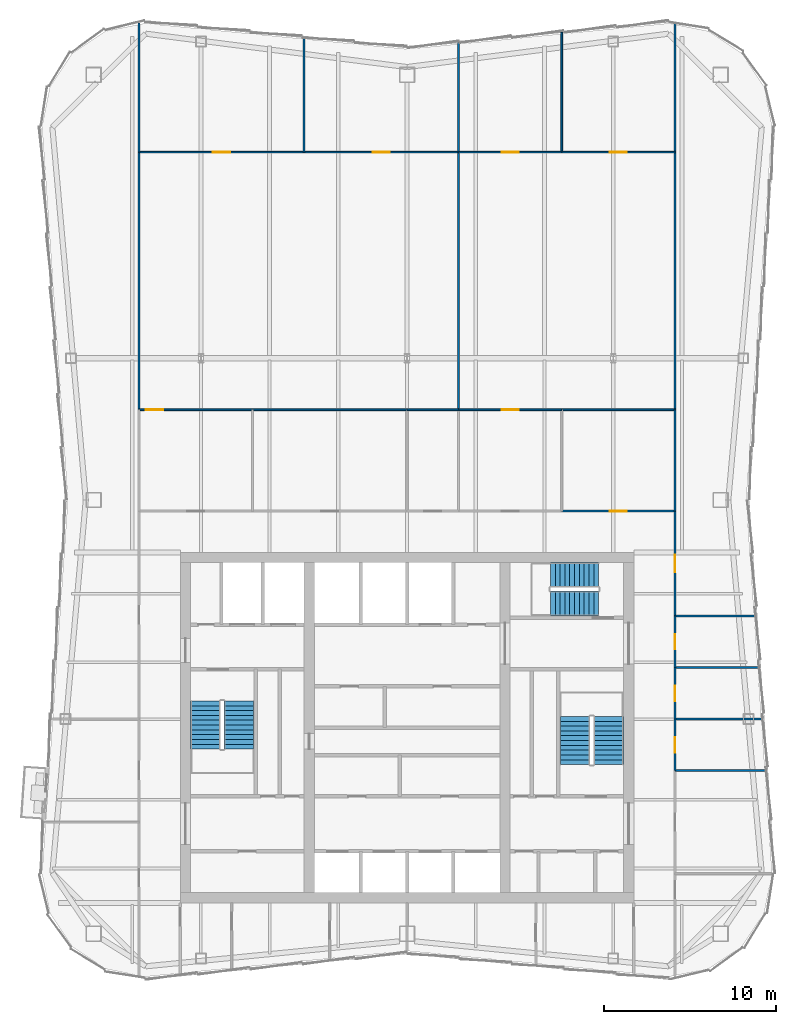
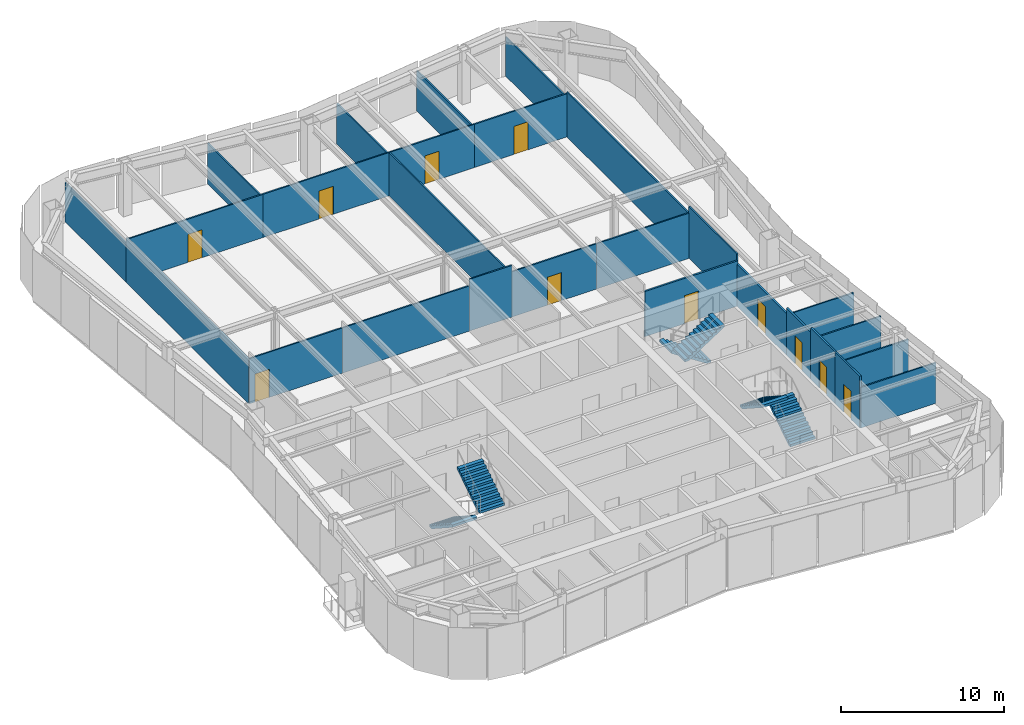
# One storey, part 8 of 10: 27 walls, 11 doors, 6 stair flights, 11 openings, 3 elements without a shape of their own.
"""IFC4 building model written with IfcOpenShell, lengths in metres."""

from ifc_helpers import new_model, si_unit, direction, frame, frame_2d, origin, place, context, subcontext, project, spatial, polyline, rectangle, outline, extrude, material, layer, layer_set, type_object, element, fill, aggregate, save


model = new_model("IFC4")

# Units and contexts
model_context = context("Model", 3, precision=1e-05, world=origin(), true_north=direction((0.0, 1.0)))
body_context = subcontext(model_context, "Body", "Model", "MODEL_VIEW")
ifc_project = project(units=[si_unit("LENGTHUNIT", "METRE"), si_unit("AREAUNIT", "SQUARE_METRE"), si_unit("VOLUMEUNIT", "CUBIC_METRE"), si_unit("PLANEANGLEUNIT", "RADIAN"), si_unit("MASSUNIT", "GRAM", prefix="KILO")], contexts=[model_context])

# Site, building, storey
site_placement = place(None, origin())
site = spatial("IfcSite", under=ifc_project, at=site_placement, CompositionType="ELEMENT")
building_placement = place(site_placement, origin())
building = spatial("IfcBuilding", under=site, at=building_placement, Name="Verdant Reach Tower", CompositionType="ELEMENT")
storey_placement = place(building_placement, frame((0.0, 0.0, 326.0)))
storey = spatial("IfcBuildingStorey", under=building, at=storey_placement, Name="L75", CompositionType="ELEMENT", Elevation=326.0)

# Walls
ifc_material_1 = material(Name="Gypsum board on steel studs", Category="steel")
ifc_layer_1 = layer(ifc_material_1, 0.10009765625)
ifc_layer_set_1 = layer_set([ifc_layer_1], Name="FL-W1 Partition 100")
wall_type_1 = type_object("IfcWallType", Name="FL-W1 Partition 100", PredefinedType="PARTITIONING", material=ifc_layer_set_1)
wall_1_placement = place(storey_placement, frame((-15.60009765625, 46.5, 0.0), z_axis=(0.0, 0.0, 1.0), x_axis=(0.0, 1.0, 0.0)))
element("IfcWall", 1, at=wall_1_placement, inside=storey, type_object=wall_type_1, Name="Partition 75.20", PredefinedType="PARTITIONING", context=body_context, shape_type="SweptSolid", body=[
    extrude(rectangle(XDim=15.0, YDim=0.10009765625, at=frame_2d((7.5, 0.0))), origin(), (0.0, 0.0, 1.0), 3.35009765625),
])
wall_2_placement = place(storey_placement, frame((-15.60009765625, 61.5, 0.0), z_axis=(0.0, 0.0, 1.0), x_axis=(0.0, 1.0, 0.0)))
element("IfcWall", 2, at=wall_2_placement, inside=storey, type_object=wall_type_1, Name="Partition 75.21", PredefinedType="PARTITIONING", context=body_context, shape_type="SweptSolid", body=[
    extrude(rectangle(XDim=7.510498046875, YDim=0.10009765625, at=frame_2d((3.75537109375, 0.0))), origin(), (0.0, 0.0, 1.0), 2.929931640625),
])
wall_3_placement = place(storey_placement, frame((20.916259765625, 25.5, 0.0), z_axis=(0.0, 0.0, 1.0), x_axis=(-1.0, 0.0, 0.0)))
element("IfcWall", 3, at=wall_3_placement, inside=storey, type_object=wall_type_1, Name="Partition 75.23", PredefinedType="PARTITIONING", context=body_context, shape_type="SweptSolid", body=[
    extrude(rectangle(XDim=5.316162109375, YDim=0.10009765625, at=frame_2d((2.658203125, 0.0))), origin(), (0.0, 0.0, 1.0), 3.0400390625),
])
wall_4_placement = place(storey_placement, frame((20.709228515625, 28.5, 0.0), z_axis=(0.0, 0.0, 1.0), x_axis=(-1.0, 0.0, 0.0)))
element("IfcWall", 4, at=wall_4_placement, inside=storey, type_object=wall_type_1, Name="Partition 75.24", PredefinedType="PARTITIONING", context=body_context, shape_type="SweptSolid", body=[
    extrude(rectangle(XDim=5.109130859375, YDim=0.10009765625, at=frame_2d((2.5546875, 0.0))), origin(), (0.0, 0.0, 1.0), 3.0400390625),
])
wall_5_placement = place(storey_placement, frame((20.50244140625, 31.5, 0.0), z_axis=(0.0, 0.0, 1.0), x_axis=(-1.0, 0.0, 0.0)))
element("IfcWall", 5, at=wall_5_placement, inside=storey, type_object=wall_type_1, Name="Partition 75.25", PredefinedType="PARTITIONING", context=body_context, shape_type="SweptSolid", body=[
    extrude(rectangle(XDim=4.90234375, YDim=0.10009765625, at=frame_2d((2.451171875, 0.0))), origin(), (0.0, 0.0, 1.0), 3.0400390625),
])
wall_6_placement = place(storey_placement, frame((20.29541015625, 34.5, 0.0), z_axis=(0.0, 0.0, 1.0), x_axis=(-1.0, 0.0, 0.0)))
element("IfcWall", 6, at=wall_6_placement, inside=storey, type_object=wall_type_1, Name="Partition 75.26", PredefinedType="PARTITIONING", context=body_context, shape_type="SweptSolid", body=[
    extrude(rectangle(XDim=4.6953125, YDim=0.10009765625, at=frame_2d((2.34765625, 0.0))), origin(), (0.0, 0.0, 1.0), 3.0400390625),
])
wall_7_placement = place(storey_placement, frame((15.60009765625, 46.5, 0.0), z_axis=(0.0, 0.0, 1.0), x_axis=(0.0, -1.0, 0.0)))
element("IfcWall", 7, at=wall_7_placement, inside=storey, type_object=wall_type_1, Name="Partition 75.27", PredefinedType="PARTITIONING", context=body_context, shape_type="SweptSolid", body=[
    extrude(rectangle(XDim=5.89990234375, YDim=0.10009765625, at=frame_2d((2.949951171875, 0.0))), origin(), (0.0, 0.0, 1.0), 3.8701171875),
])
wall_8_placement = place(storey_placement, frame((15.60009765625, 61.5, 0.0), z_axis=(0.0, 0.0, 1.0), x_axis=(0.0, -1.0, 0.0)))
element("IfcWall", 8, at=wall_8_placement, inside=storey, type_object=wall_type_1, Name="Partition 75.28", PredefinedType="PARTITIONING", context=body_context, shape_type="SweptSolid", body=[
    extrude(rectangle(XDim=15.0, YDim=0.10009765625, at=frame_2d((7.5, 0.0))), origin(), (0.0, 0.0, 1.0), 3.35009765625),
])
wall_9_placement = place(storey_placement, frame((15.60009765625, 69.010498046875, 0.0), z_axis=(0.0, 0.0, 1.0), x_axis=(0.0, -1.0, 0.0)))
element("IfcWall", 9, at=wall_9_placement, inside=storey, type_object=wall_type_1, Name="Partition 75.29", PredefinedType="PARTITIONING", context=body_context, shape_type="SweptSolid", body=[
    extrude(rectangle(XDim=7.510498046875, YDim=0.10009765625, at=frame_2d((3.75537109375, 0.0))), origin(), (0.0, 0.0, 1.0), 2.929931640625),
])

# Wall, opening, door
wall_10_placement = place(storey_placement, frame((-15.60009765625, 46.5, 0.0), z_axis=(0.0, 0.0, 1.0), x_axis=(1.0, 0.0, 0.0)))
wall_10 = element("IfcWall", 10, at=wall_10_placement, inside=storey, type_object=wall_type_1, Name="Partition 75.35", PredefinedType="PARTITIONING", context=body_context, shape_type="SweptSolid", body=[
    extrude(rectangle(XDim=6.60400390625, YDim=0.10009765625, at=frame_2d((3.302001953125, 0.0))), origin(), (0.0, 0.0, 1.0), 3.389892578125),
])
opening_1_placement = place(wall_10_placement, frame((0.402099609375, 0.0, 0.0)))
opening_1 = element("IfcOpeningElement", 11, at=opening_1_placement, cuts=wall_10, Name="Opening D3", PredefinedType="OPENING", context=body_context, shape_type="SweptSolid", body=[
    extrude(rectangle(XDim=1.0, YDim=2.10009765625, at=frame_2d((0.5, 1.050048828125))), frame((0.0, 0.06005859375, 0.0), z_axis=(0.0, -1.0, 0.0), x_axis=(1.0, 0.0, 0.0)), (0.0, 0.0, 1.0), 0.1201171875),
])
ifc_material_2 = material(Name="Painted timber door leaf", Category="wood")
door_type_1 = type_object("IfcDoorType", Name="FL-D3 Door 1000x2100", OperationType="NOTDEFINED", PredefinedType="DOOR", material=ifc_material_2)
door_1_placement = place(opening_1_placement, origin())
door_1 = element("IfcDoor", 12, at=door_1_placement, inside=storey, type_object=door_type_1, Name="Door 75-020", OperationType="SINGLE_SWING_LEFT", OverallHeight=2.10009765625, OverallWidth=1.0, PredefinedType="DOOR", context=body_context, shape_type="SweptSolid", body=[
    extrude(rectangle(XDim=1.0, YDim=2.10009765625, at=frame_2d((0.5, 1.050048828125))), frame((0.0, 0.02490234375, 0.0), z_axis=(0.0, -1.0, 0.0), x_axis=(1.0, 0.0, 0.0)), (0.0, 0.0, 1.0), 0.050048828125),
])
fill(opening_1, door_1)

# Walls
wall_11_placement = place(storey_placement, frame((0.00390625, 46.5, 0.0), z_axis=(0.0, 0.0, 1.0), x_axis=(-1.0, 0.0, 0.0)))
element("IfcWall", 13, at=wall_11_placement, inside=storey, type_object=wall_type_1, Name="Partition 75.37", PredefinedType="PARTITIONING", context=body_context, shape_type="SweptSolid", body=[
    extrude(rectangle(XDim=9.0078125, YDim=0.10009765625, at=frame_2d((4.50390625, 0.0))), origin(), (0.0, 0.0, 1.0), 3.389892578125),
])
wall_12_placement = place(storey_placement, frame((3.0, 46.5, 0.0), z_axis=(0.0, 0.0, 1.0), x_axis=(-1.0, 0.0, 0.0)))
element("IfcWall", 14, at=wall_12_placement, inside=storey, type_object=wall_type_1, Name="Partition 75.38", PredefinedType="PARTITIONING", context=body_context, shape_type="SweptSolid", body=[
    extrude(rectangle(XDim=3.00390625, YDim=0.10009765625, at=frame_2d((1.501953125, 0.0))), origin(), (0.0, 0.0, 1.0), 3.8701171875),
])

# Wall, opening, door
wall_13_placement = place(storey_placement, frame((-15.60009765625, 61.5, 0.0), z_axis=(0.0, 0.0, 1.0), x_axis=(1.0, 0.0, 0.0)))
wall_13 = element("IfcWall", 15, at=wall_13_placement, inside=storey, type_object=wall_type_1, Name="Partition 75.40", PredefinedType="PARTITIONING", context=body_context, shape_type="SweptSolid", body=[
    extrude(rectangle(XDim=9.60009765625, YDim=0.10009765625, at=frame_2d((4.800048828125, 0.0))), origin(), (0.0, 0.0, 1.0), 3.239990234375),
])
opening_2_placement = place(wall_13_placement, frame((4.300048828125, 0.0, 0.0)))
opening_2 = element("IfcOpeningElement", 16, at=opening_2_placement, cuts=wall_13, Name="Opening D3", PredefinedType="OPENING", context=body_context, shape_type="SweptSolid", body=[
    extrude(rectangle(XDim=1.0, YDim=2.10009765625, at=frame_2d((0.5, 1.050048828125))), frame((0.0, 0.06005859375, 0.0), z_axis=(0.0, -1.0, 0.0), x_axis=(1.0, 0.0, 0.0)), (0.0, 0.0, 1.0), 0.1201171875),
])
door_2_placement = place(opening_2_placement, origin())
door_2 = element("IfcDoor", 17, at=door_2_placement, inside=storey, type_object=door_type_1, Name="Door 75-021", OperationType="SINGLE_SWING_LEFT", OverallHeight=2.10009765625, OverallWidth=1.0, PredefinedType="DOOR", context=body_context, shape_type="SweptSolid", body=[
    extrude(rectangle(XDim=1.0, YDim=2.10009765625, at=frame_2d((0.5, 1.050048828125))), frame((0.0, 0.02490234375, 0.0), z_axis=(0.0, -1.0, 0.0), x_axis=(1.0, 0.0, 0.0)), (0.0, 0.0, 1.0), 0.050048828125),
])
fill(opening_2, door_2)

wall_14_placement = place(storey_placement, frame((-6.0, 61.5, 0.0), z_axis=(0.0, 0.0, 1.0), x_axis=(1.0, 0.0, 0.0)))
wall_14 = element("IfcWall", 18, at=wall_14_placement, inside=storey, type_object=wall_type_1, Name="Partition 75.41", PredefinedType="PARTITIONING", context=body_context, shape_type="SweptSolid", body=[
    extrude(rectangle(XDim=9.0, YDim=0.10009765625, at=frame_2d((4.5, 0.0))), origin(), (0.0, 0.0, 1.0), 3.239990234375),
])
opening_3_placement = place(wall_14_placement, frame((4.0, 0.0, 0.0)))
opening_3 = element("IfcOpeningElement", 19, at=opening_3_placement, cuts=wall_14, Name="Opening D3", PredefinedType="OPENING", context=body_context, shape_type="SweptSolid", body=[
    extrude(rectangle(XDim=1.0, YDim=2.10009765625, at=frame_2d((0.5, 1.050048828125))), frame((0.0, 0.06005859375, 0.0), z_axis=(0.0, -1.0, 0.0), x_axis=(1.0, 0.0, 0.0)), (0.0, 0.0, 1.0), 0.1201171875),
])
door_3_placement = place(opening_3_placement, origin())
door_3 = element("IfcDoor", 20, at=door_3_placement, inside=storey, type_object=door_type_1, Name="Door 75-022", OperationType="SINGLE_SWING_RIGHT", OverallHeight=2.10009765625, OverallWidth=1.0, PredefinedType="DOOR", context=body_context, shape_type="SweptSolid", body=[
    extrude(rectangle(XDim=1.0, YDim=2.10009765625, at=frame_2d((0.5, 1.050048828125))), frame((0.0, 0.02490234375, 0.0), z_axis=(0.0, -1.0, 0.0), x_axis=(1.0, 0.0, 0.0)), (0.0, 0.0, 1.0), 0.050048828125),
])
fill(opening_3, door_3)

# Walls
wall_15_placement = place(storey_placement, frame((3.0, 46.5, 0.0), z_axis=(0.0, 0.0, 1.0), x_axis=(0.0, 1.0, 0.0)))
element("IfcWall", 21, at=wall_15_placement, inside=storey, type_object=wall_type_1, Name="Partition 75.42", PredefinedType="PARTITIONING", context=body_context, shape_type="SweptSolid", body=[
    extrude(rectangle(XDim=15.0, YDim=0.10009765625, at=frame_2d((7.5, 0.0))), origin(), (0.0, 0.0, 1.0), 3.239990234375),
])
wall_16_placement = place(storey_placement, frame((-6.0, 61.5, 0.0), z_axis=(0.0, 0.0, 1.0), x_axis=(0.0, 1.0, 0.0)))
element("IfcWall", 22, at=wall_16_placement, inside=storey, type_object=wall_type_1, Name="Partition 75.43", PredefinedType="PARTITIONING", context=body_context, shape_type="SweptSolid", body=[
    extrude(rectangle(XDim=6.670166015625, YDim=0.10009765625, at=frame_2d((3.3349609375, 0.0))), origin(), (0.0, 0.0, 1.0), 3.0400390625),
])
wall_17_placement = place(storey_placement, frame((3.0, 61.5, 0.0), z_axis=(0.0, 0.0, 1.0), x_axis=(0.0, 1.0, 0.0)))
element("IfcWall", 23, at=wall_17_placement, inside=storey, type_object=wall_type_1, Name="Partition 75.44", PredefinedType="PARTITIONING", context=body_context, shape_type="SweptSolid", body=[
    extrude(rectangle(XDim=6.375, YDim=0.10009765625, at=frame_2d((3.1875, 0.0))), origin(), (0.0, 0.0, 1.0), 3.0400390625),
])

# Wall, opening, door
wall_18_placement = place(storey_placement, frame((3.0, 46.5, 0.0), z_axis=(0.0, 0.0, 1.0), x_axis=(1.0, 0.0, 0.0)))
wall_18 = element("IfcWall", 24, at=wall_18_placement, inside=storey, type_object=wall_type_1, Name="Partition 75.46", PredefinedType="PARTITIONING", context=body_context, shape_type="SweptSolid", body=[
    extrude(rectangle(XDim=6.00390625, YDim=0.10009765625, at=frame_2d((3.001953125, 0.0))), origin(), (0.0, 0.0, 1.0), 3.389892578125),
])
opening_4_placement = place(wall_18_placement, frame((2.501953125, 0.0, 0.0)))
opening_4 = element("IfcOpeningElement", 25, at=opening_4_placement, cuts=wall_18, Name="Opening D3", PredefinedType="OPENING", context=body_context, shape_type="SweptSolid", body=[
    extrude(rectangle(XDim=1.0, YDim=2.10009765625, at=frame_2d((0.5, 1.050048828125))), frame((0.0, 0.06005859375, 0.0), z_axis=(0.0, -1.0, 0.0), x_axis=(1.0, 0.0, 0.0)), (0.0, 0.0, 1.0), 0.1201171875),
])
door_4_placement = place(opening_4_placement, origin())
door_4 = element("IfcDoor", 26, at=door_4_placement, inside=storey, type_object=door_type_1, Name="Door 75-023", OperationType="SINGLE_SWING_LEFT", OverallHeight=2.10009765625, OverallWidth=1.0, PredefinedType="DOOR", context=body_context, shape_type="SweptSolid", body=[
    extrude(rectangle(XDim=1.0, YDim=2.10009765625, at=frame_2d((0.5, 1.050048828125))), frame((0.0, 0.02490234375, 0.0), z_axis=(0.0, -1.0, 0.0), x_axis=(1.0, 0.0, 0.0)), (0.0, 0.0, 1.0), 0.050048828125),
])
fill(opening_4, door_4)

# Wall
wall_19_placement = place(storey_placement, frame((15.60009765625, 46.5, 0.0), z_axis=(0.0, 0.0, 1.0), x_axis=(-1.0, 0.0, 0.0)))
element("IfcWall", 27, at=wall_19_placement, inside=storey, type_object=wall_type_1, Name="Partition 75.47", PredefinedType="PARTITIONING", context=body_context, shape_type="SweptSolid", body=[
    extrude(rectangle(XDim=6.60400390625, YDim=0.10009765625, at=frame_2d((3.302001953125, 0.0))), origin(), (0.0, 0.0, 1.0), 3.389892578125),
])

# Wall, opening, door
wall_20_placement = place(storey_placement, frame((3.0, 61.5, 0.0), z_axis=(0.0, 0.0, 1.0), x_axis=(1.0, 0.0, 0.0)))
wall_20 = element("IfcWall", 28, at=wall_20_placement, inside=storey, type_object=wall_type_1, Name="Partition 75.48", PredefinedType="PARTITIONING", context=body_context, shape_type="SweptSolid", body=[
    extrude(rectangle(XDim=6.0, YDim=0.10009765625, at=frame_2d((3.0, 0.0))), origin(), (0.0, 0.0, 1.0), 3.239990234375),
])
opening_5_placement = place(wall_20_placement, frame((2.5, 0.0, 0.0)))
opening_5 = element("IfcOpeningElement", 29, at=opening_5_placement, cuts=wall_20, Name="Opening D3", PredefinedType="OPENING", context=body_context, shape_type="SweptSolid", body=[
    extrude(rectangle(XDim=1.0, YDim=2.10009765625, at=frame_2d((0.5, 1.050048828125))), frame((0.0, 0.06005859375, 0.0), z_axis=(0.0, -1.0, 0.0), x_axis=(1.0, 0.0, 0.0)), (0.0, 0.0, 1.0), 0.1201171875),
])
door_5_placement = place(opening_5_placement, origin())
door_5 = element("IfcDoor", 30, at=door_5_placement, inside=storey, type_object=door_type_1, Name="Door 75-024", OperationType="SINGLE_SWING_RIGHT", OverallHeight=2.10009765625, OverallWidth=1.0, PredefinedType="DOOR", context=body_context, shape_type="SweptSolid", body=[
    extrude(rectangle(XDim=1.0, YDim=2.10009765625, at=frame_2d((0.5, 1.050048828125))), frame((0.0, 0.02490234375, 0.0), z_axis=(0.0, -1.0, 0.0), x_axis=(1.0, 0.0, 0.0)), (0.0, 0.0, 1.0), 0.050048828125),
])
fill(opening_5, door_5)

wall_21_placement = place(storey_placement, frame((9.0, 61.5, 0.0), z_axis=(0.0, 0.0, 1.0), x_axis=(1.0, 0.0, 0.0)))
wall_21 = element("IfcWall", 31, at=wall_21_placement, inside=storey, type_object=wall_type_1, Name="Partition 75.49", PredefinedType="PARTITIONING", context=body_context, shape_type="SweptSolid", body=[
    extrude(rectangle(XDim=6.60009765625, YDim=0.10009765625, at=frame_2d((3.300048828125, 0.0))), origin(), (0.0, 0.0, 1.0), 3.239990234375),
])
opening_6_placement = place(wall_21_placement, frame((2.800048828125, 0.0, 0.0)))
opening_6 = element("IfcOpeningElement", 32, at=opening_6_placement, cuts=wall_21, Name="Opening D3", PredefinedType="OPENING", context=body_context, shape_type="SweptSolid", body=[
    extrude(rectangle(XDim=1.0, YDim=2.10009765625, at=frame_2d((0.5, 1.050048828125))), frame((0.0, 0.06005859375, 0.0), z_axis=(0.0, -1.0, 0.0), x_axis=(1.0, 0.0, 0.0)), (0.0, 0.0, 1.0), 0.1201171875),
])
door_6_placement = place(opening_6_placement, origin())
door_6 = element("IfcDoor", 33, at=door_6_placement, inside=storey, type_object=door_type_1, Name="Door 75-025", OperationType="SINGLE_SWING_LEFT", OverallHeight=2.10009765625, OverallWidth=1.0, PredefinedType="DOOR", context=body_context, shape_type="SweptSolid", body=[
    extrude(rectangle(XDim=1.0, YDim=2.10009765625, at=frame_2d((0.5, 1.050048828125))), frame((0.0, 0.02490234375, 0.0), z_axis=(0.0, -1.0, 0.0), x_axis=(1.0, 0.0, 0.0)), (0.0, 0.0, 1.0), 0.050048828125),
])
fill(opening_6, door_6)

# Wall
wall_22_placement = place(storey_placement, frame((9.0, 61.5, 0.0), z_axis=(0.0, 0.0, 1.0), x_axis=(0.0, 1.0, 0.0)))
element("IfcWall", 34, at=wall_22_placement, inside=storey, type_object=wall_type_1, Name="Partition 75.50", PredefinedType="PARTITIONING", context=body_context, shape_type="SweptSolid", body=[
    extrude(rectangle(XDim=6.965087890625, YDim=0.10009765625, at=frame_2d((3.482421875, 0.0))), origin(), (0.0, 0.0, 1.0), 3.0400390625),
])

# Wall, opening, door
ifc_material_3 = material(Name="Gypsum board on steel studs, fire rated", Category="steel")
ifc_layer_2 = layer(ifc_material_3, 0.125)
ifc_layer_set_2 = layer_set([ifc_layer_2], Name="FL-W2 Corridor wall 125")
wall_type_2 = type_object("IfcWallType", Name="FL-W2 Corridor wall 125", PredefinedType="PARTITIONING", material=ifc_layer_set_2)
wall_23_placement = place(storey_placement, frame((15.60009765625, 28.5, 0.0), z_axis=(0.0, 0.0, 1.0), x_axis=(0.0, -1.0, 0.0)))
wall_23 = element("IfcWall", 35, at=wall_23_placement, inside=storey, type_object=wall_type_2, Name="Partition 75.06", PredefinedType="PARTITIONING", context=body_context, shape_type="SweptSolid", body=[
    extrude(rectangle(XDim=3.0, YDim=0.125, at=frame_2d((1.5, 0.0))), origin(), (0.0, 0.0, 1.0), 3.8701171875),
])
opening_7_placement = place(wall_23_placement, frame((1.050048828125, 0.0, 0.0)))
opening_7 = element("IfcOpeningElement", 36, at=opening_7_placement, cuts=wall_23, Name="Opening D1", PredefinedType="OPENING", context=body_context, shape_type="SweptSolid", body=[
    extrude(rectangle(XDim=0.89990234375, YDim=2.10009765625, at=frame_2d((0.449951171875, 1.050048828125))), frame((0.0, 0.072509765625, 0.0), z_axis=(0.0, -1.0, 0.0), x_axis=(1.0, 0.0, 0.0)), (0.0, 0.0, 1.0), 0.14501953125),
])
door_type_2 = type_object("IfcDoorType", Name="FL-D1 Door 900x2100", OperationType="NOTDEFINED", PredefinedType="DOOR", material=ifc_material_2)
door_7_placement = place(opening_7_placement, origin())
door_7 = element("IfcDoor", 37, at=door_7_placement, inside=storey, type_object=door_type_2, Name="Door 75-006", OperationType="SINGLE_SWING_RIGHT", OverallHeight=2.10009765625, OverallWidth=0.89990234375, PredefinedType="DOOR", context=body_context, shape_type="SweptSolid", body=[
    extrude(rectangle(XDim=0.89990234375, YDim=2.10009765625, at=frame_2d((0.449951171875, 1.050048828125))), frame((0.0, 0.02490234375, 0.0), z_axis=(0.0, -1.0, 0.0), x_axis=(1.0, 0.0, 0.0)), (0.0, 0.0, 1.0), 0.050048828125),
])
fill(opening_7, door_7)

wall_24_placement = place(storey_placement, frame((15.60009765625, 31.5, 0.0), z_axis=(0.0, 0.0, 1.0), x_axis=(0.0, -1.0, 0.0)))
wall_24 = element("IfcWall", 38, at=wall_24_placement, inside=storey, type_object=wall_type_2, Name="Partition 75.07", PredefinedType="PARTITIONING", context=body_context, shape_type="SweptSolid", body=[
    extrude(rectangle(XDim=3.0, YDim=0.125, at=frame_2d((1.5, 0.0))), origin(), (0.0, 0.0, 1.0), 3.8701171875),
])
opening_8_placement = place(wall_24_placement, frame((1.050048828125, 0.0, 0.0)))
opening_8 = element("IfcOpeningElement", 39, at=opening_8_placement, cuts=wall_24, Name="Opening D1", PredefinedType="OPENING", context=body_context, shape_type="SweptSolid", body=[
    extrude(rectangle(XDim=0.89990234375, YDim=2.10009765625, at=frame_2d((0.449951171875, 1.050048828125))), frame((0.0, 0.072509765625, 0.0), z_axis=(0.0, -1.0, 0.0), x_axis=(1.0, 0.0, 0.0)), (0.0, 0.0, 1.0), 0.14501953125),
])
door_8_placement = place(opening_8_placement, origin())
door_8 = element("IfcDoor", 40, at=door_8_placement, inside=storey, type_object=door_type_2, Name="Door 75-007", OperationType="SINGLE_SWING_LEFT", OverallHeight=2.10009765625, OverallWidth=0.89990234375, PredefinedType="DOOR", context=body_context, shape_type="SweptSolid", body=[
    extrude(rectangle(XDim=0.89990234375, YDim=2.10009765625, at=frame_2d((0.449951171875, 1.050048828125))), frame((0.0, 0.02490234375, 0.0), z_axis=(0.0, -1.0, 0.0), x_axis=(1.0, 0.0, 0.0)), (0.0, 0.0, 1.0), 0.050048828125),
])
fill(opening_8, door_8)

wall_25_placement = place(storey_placement, frame((15.60009765625, 34.5, 0.0), z_axis=(0.0, 0.0, 1.0), x_axis=(0.0, -1.0, 0.0)))
wall_25 = element("IfcWall", 41, at=wall_25_placement, inside=storey, type_object=wall_type_2, Name="Partition 75.08", PredefinedType="PARTITIONING", context=body_context, shape_type="SweptSolid", body=[
    extrude(rectangle(XDim=3.0, YDim=0.125, at=frame_2d((1.5, 0.0))), origin(), (0.0, 0.0, 1.0), 3.5400390625),
])
opening_9_placement = place(wall_25_placement, frame((1.050048828125, 0.0, 0.0)))
opening_9 = element("IfcOpeningElement", 42, at=opening_9_placement, cuts=wall_25, Name="Opening D1", PredefinedType="OPENING", context=body_context, shape_type="SweptSolid", body=[
    extrude(rectangle(XDim=0.89990234375, YDim=2.10009765625, at=frame_2d((0.449951171875, 1.050048828125))), frame((0.0, 0.072509765625, 0.0), z_axis=(0.0, -1.0, 0.0), x_axis=(1.0, 0.0, 0.0)), (0.0, 0.0, 1.0), 0.14501953125),
])
door_9_placement = place(opening_9_placement, origin())
door_9 = element("IfcDoor", 43, at=door_9_placement, inside=storey, type_object=door_type_2, Name="Door 75-008", OperationType="SINGLE_SWING_RIGHT", OverallHeight=2.10009765625, OverallWidth=0.89990234375, PredefinedType="DOOR", context=body_context, shape_type="SweptSolid", body=[
    extrude(rectangle(XDim=0.89990234375, YDim=2.10009765625, at=frame_2d((0.449951171875, 1.050048828125))), frame((0.0, 0.02490234375, 0.0), z_axis=(0.0, -1.0, 0.0), x_axis=(1.0, 0.0, 0.0)), (0.0, 0.0, 1.0), 0.050048828125),
])
fill(opening_9, door_9)

wall_26_placement = place(storey_placement, frame((15.60009765625, 40.60400390625, 0.0), z_axis=(0.0, 0.0, 1.0), x_axis=(0.0, -1.0, 0.0)))
wall_26 = element("IfcWall", 44, at=wall_26_placement, inside=storey, type_object=wall_type_2, Name="Partition 75.09", PredefinedType="PARTITIONING", context=body_context, shape_type="SweptSolid", body=[
    extrude(rectangle(XDim=6.10400390625, YDim=0.125, at=frame_2d((3.052001953125, 0.0))), origin(), (0.0, 0.0, 1.0), 3.139892578125),
])
opening_10_placement = place(wall_26_placement, frame((2.552001953125, 0.0, 0.0)))
opening_10 = element("IfcOpeningElement", 45, at=opening_10_placement, cuts=wall_26, Name="Opening D2", PredefinedType="OPENING", context=body_context, shape_type="SweptSolid", body=[
    extrude(rectangle(XDim=1.0, YDim=2.10009765625, at=frame_2d((0.5, 1.050048828125))), frame((0.0, 0.072509765625, 0.0), z_axis=(0.0, -1.0, 0.0), x_axis=(1.0, 0.0, 0.0)), (0.0, 0.0, 1.0), 0.14501953125),
])
ifc_material_4 = material(Name="Timber door leaf, fire rated", Category="wood")
door_type_3 = type_object("IfcDoorType", Name="FL-D2 Entrance door 1000x2100 FD30", OperationType="NOTDEFINED", PredefinedType="DOOR", material=ifc_material_4)
door_10_placement = place(opening_10_placement, origin())
door_10 = element("IfcDoor", 46, at=door_10_placement, inside=storey, type_object=door_type_3, Name="Door 75-009", OperationType="SINGLE_SWING_LEFT", OverallHeight=2.10009765625, OverallWidth=1.0, PredefinedType="DOOR", context=body_context, shape_type="SweptSolid", body=[
    extrude(rectangle(XDim=1.0, YDim=2.10009765625, at=frame_2d((0.5, 1.050048828125))), frame((0.0, 0.02490234375, 0.0), z_axis=(0.0, -1.0, 0.0), x_axis=(1.0, 0.0, 0.0)), (0.0, 0.0, 1.0), 0.050048828125),
])
fill(opening_10, door_10)

wall_27_placement = place(storey_placement, frame((9.0, 40.60009765625, 0.0), z_axis=(0.0, 0.0, 1.0), x_axis=(1.0, 0.0, 0.0)))
wall_27 = element("IfcWall", 47, at=wall_27_placement, inside=storey, type_object=wall_type_2, Name="Partition 75.16", PredefinedType="PARTITIONING", context=body_context, shape_type="SweptSolid", body=[
    extrude(rectangle(XDim=6.60009765625, YDim=0.125, at=frame_2d((3.300048828125, 0.0))), origin(), (0.0, 0.0, 1.0), 3.389892578125),
])
opening_11_placement = place(wall_27_placement, frame((2.800048828125, 0.0, 0.0)))
opening_11 = element("IfcOpeningElement", 48, at=opening_11_placement, cuts=wall_27, Name="Opening D2", PredefinedType="OPENING", context=body_context, shape_type="SweptSolid", body=[
    extrude(rectangle(XDim=1.0, YDim=2.10009765625, at=frame_2d((0.5, 1.050048828125))), frame((0.0, 0.072509765625, 0.0), z_axis=(0.0, -1.0, 0.0), x_axis=(1.0, 0.0, 0.0)), (0.0, 0.0, 1.0), 0.14501953125),
])
door_11_placement = place(opening_11_placement, origin())
door_11 = element("IfcDoor", 49, at=door_11_placement, inside=storey, type_object=door_type_3, Name="Door 75-016", OperationType="SINGLE_SWING_RIGHT", OverallHeight=2.10009765625, OverallWidth=1.0, PredefinedType="DOOR", context=body_context, shape_type="SweptSolid", body=[
    extrude(rectangle(XDim=1.0, YDim=2.10009765625, at=frame_2d((0.5, 1.050048828125))), frame((0.0, 0.02490234375, 0.0), z_axis=(0.0, -1.0, 0.0), x_axis=(1.0, 0.0, 0.0)), (0.0, 0.0, 1.0), 0.050048828125),
])
fill(opening_11, door_11)

# Stair, stair flights
ifc_material_5 = material(Name="Concrete C40/50", Category="concrete")
stair_type = type_object("IfcStairType", Name="CO-STAIR", PredefinedType="HALF_TURN_STAIR", material=ifc_material_5)
stair_1_placement = place(storey_placement, origin())
stair_1 = element("IfcStair", 50, at=stair_1_placement, inside=storey, type_object=stair_type, Name="L75 Exit stair 1", PredefinedType="HALF_TURN_STAIR")
stair_flight_type = type_object("IfcStairFlightType", Name="CO-STAIR-FLIGHT", PredefinedType="STRAIGHT", material=ifc_material_5)
stair_flight_1_placement = place(storey_placement, frame((-11.72509765625, 29.550048828125, 0.0), z_axis=(0.0, 0.0, 1.0), x_axis=(0.0, -1.0, 0.0)))
stair_flight_1 = element("IfcStairFlight", 51, at=stair_flight_1_placement, type_object=stair_flight_type, Name="ST-1 flight 1", NumberOfRisers=11, NumberOfTreads=10, PredefinedType="STRAIGHT", RiserHeight=0.181818182, TreadLength=0.28, context=body_context, shape_type="SweptSolid", body=[
    extrude(outline(polyline([(0.0, 0.0), (0.0, 0.181884765625), (0.280029296875, 0.181884765625), (0.280029296875, 0.363525390625), (0.56005859375, 0.363525390625), (0.56005859375, 0.54541015625), (0.840087890625, 0.54541015625), (0.840087890625, 0.727294921875), (1.1201171875, 0.727294921875), (1.1201171875, 0.9091796875), (1.39990234375, 0.9091796875), (1.39990234375, 1.0908203125), (1.679931640625, 1.0908203125), (1.679931640625, 1.272705078125), (1.9599609375, 1.272705078125), (1.9599609375, 1.45458984375), (2.239990234375, 1.45458984375), (2.239990234375, 1.636474609375), (2.52001953125, 1.636474609375), (2.52001953125, 1.818115234375), (2.800048828125, 1.818115234375), (2.800048828125, 2.0), (2.800048828125, 1.639404296875), (0.275146484375, 0.0), (0.0, 0.0)])), frame((0.0, 0.875, 0.0), z_axis=(0.0, -1.0, 0.0), x_axis=(1.0, 0.0, 0.0)), (0.0, 0.0, 1.0), 1.75),
])
stair_flight_2_placement = place(storey_placement, frame((-9.77490234375, 26.75, 2.0), z_axis=(0.0, 0.0, 1.0), x_axis=(0.0, 1.0, 0.0)))
stair_flight_2 = element("IfcStairFlight", 52, at=stair_flight_2_placement, type_object=stair_flight_type, Name="ST-1 flight 2", NumberOfRisers=11, NumberOfTreads=10, PredefinedType="STRAIGHT", RiserHeight=0.181818182, TreadLength=0.28, context=body_context, shape_type="SweptSolid", body=[
    extrude(outline(polyline([(0.0, 0.0), (0.0, 0.181884765625), (0.280029296875, 0.181884765625), (0.280029296875, 0.363525390625), (0.56005859375, 0.363525390625), (0.56005859375, 0.54541015625), (0.840087890625, 0.54541015625), (0.840087890625, 0.727294921875), (1.1201171875, 0.727294921875), (1.1201171875, 0.9091796875), (1.39990234375, 0.9091796875), (1.39990234375, 1.0908203125), (1.679931640625, 1.0908203125), (1.679931640625, 1.272705078125), (1.9599609375, 1.272705078125), (1.9599609375, 1.45458984375), (2.239990234375, 1.45458984375), (2.239990234375, 1.636474609375), (2.52001953125, 1.636474609375), (2.52001953125, 1.818115234375), (2.800048828125, 1.818115234375), (2.800048828125, 2.0), (2.800048828125, 1.639404296875), (0.275146484375, 0.0), (0.0, 0.0)])), frame((0.0, 0.875, 0.0), z_axis=(0.0, -1.0, 0.0), x_axis=(1.0, 0.0, 0.0)), (0.0, 0.0, 1.0), 1.75),
])
aggregate(stair_1, [stair_flight_1, stair_flight_2])

stair_2_placement = place(storey_placement, origin())
stair_2 = element("IfcStair", 53, at=stair_2_placement, inside=storey, type_object=stair_type, Name="L75 Exit stair 2", PredefinedType="HALF_TURN_STAIR")
stair_flight_3_placement = place(storey_placement, frame((11.72509765625, 25.85009765625, 0.0), z_axis=(0.0, 0.0, 1.0), x_axis=(0.0, 1.0, 0.0)))
stair_flight_3 = element("IfcStairFlight", 54, at=stair_flight_3_placement, type_object=stair_flight_type, Name="ST-2 flight 1", NumberOfRisers=11, NumberOfTreads=10, PredefinedType="STRAIGHT", RiserHeight=0.181818182, TreadLength=0.28, context=body_context, shape_type="SweptSolid", body=[
    extrude(outline(polyline([(0.0, 0.0), (0.0, 0.181884765625), (0.280029296875, 0.181884765625), (0.280029296875, 0.363525390625), (0.56005859375, 0.363525390625), (0.56005859375, 0.54541015625), (0.840087890625, 0.54541015625), (0.840087890625, 0.727294921875), (1.1201171875, 0.727294921875), (1.1201171875, 0.9091796875), (1.39990234375, 0.9091796875), (1.39990234375, 1.0908203125), (1.679931640625, 1.0908203125), (1.679931640625, 1.272705078125), (1.9599609375, 1.272705078125), (1.9599609375, 1.45458984375), (2.239990234375, 1.45458984375), (2.239990234375, 1.636474609375), (2.52001953125, 1.636474609375), (2.52001953125, 1.818115234375), (2.800048828125, 1.818115234375), (2.800048828125, 2.0), (2.800048828125, 1.639404296875), (0.275146484375, 0.0), (0.0, 0.0)])), frame((0.0, 0.875, 0.0), z_axis=(0.0, -1.0, 0.0), x_axis=(1.0, 0.0, 0.0)), (0.0, 0.0, 1.0), 1.75),
])
stair_flight_4_placement = place(storey_placement, frame((9.77490234375, 28.64990234375, 2.0), z_axis=(0.0, 0.0, 1.0), x_axis=(0.0, -1.0, 0.0)))
stair_flight_4 = element("IfcStairFlight", 55, at=stair_flight_4_placement, type_object=stair_flight_type, Name="ST-2 flight 2", NumberOfRisers=11, NumberOfTreads=10, PredefinedType="STRAIGHT", RiserHeight=0.181818182, TreadLength=0.28, context=body_context, shape_type="SweptSolid", body=[
    extrude(outline(polyline([(0.0, 0.0), (0.0, 0.181884765625), (0.280029296875, 0.181884765625), (0.280029296875, 0.363525390625), (0.56005859375, 0.363525390625), (0.56005859375, 0.54541015625), (0.840087890625, 0.54541015625), (0.840087890625, 0.727294921875), (1.1201171875, 0.727294921875), (1.1201171875, 0.9091796875), (1.39990234375, 0.9091796875), (1.39990234375, 1.0908203125), (1.679931640625, 1.0908203125), (1.679931640625, 1.272705078125), (1.9599609375, 1.272705078125), (1.9599609375, 1.45458984375), (2.239990234375, 1.45458984375), (2.239990234375, 1.636474609375), (2.52001953125, 1.636474609375), (2.52001953125, 1.818115234375), (2.800048828125, 1.818115234375), (2.800048828125, 2.0), (2.800048828125, 1.639404296875), (0.275146484375, 0.0), (0.0, 0.0)])), frame((0.0, 0.875, 0.0), z_axis=(0.0, -1.0, 0.0), x_axis=(1.0, 0.0, 0.0)), (0.0, 0.0, 1.0), 1.75),
])
aggregate(stair_2, [stair_flight_3, stair_flight_4])

stair_3_placement = place(storey_placement, origin())
stair_3 = element("IfcStair", 56, at=stair_3_placement, inside=storey, type_object=stair_type, Name="L75 Exit stair 3", PredefinedType="HALF_TURN_STAIR")
stair_flight_5_placement = place(storey_placement, frame((11.14990234375, 36.875, 0.0), z_axis=(0.0, 0.0, 1.0), x_axis=(-1.0, 0.0, 0.0)))
stair_flight_5 = element("IfcStairFlight", 57, at=stair_flight_5_placement, type_object=stair_flight_type, Name="ST-3 flight 1", NumberOfRisers=11, NumberOfTreads=10, PredefinedType="STRAIGHT", RiserHeight=0.181818182, TreadLength=0.28, context=body_context, shape_type="SweptSolid", body=[
    extrude(outline(polyline([(0.0, 0.0), (0.0, 0.181884765625), (0.280029296875, 0.181884765625), (0.280029296875, 0.363525390625), (0.56005859375, 0.363525390625), (0.56005859375, 0.54541015625), (0.840087890625, 0.54541015625), (0.840087890625, 0.727294921875), (1.1201171875, 0.727294921875), (1.1201171875, 0.9091796875), (1.39990234375, 0.9091796875), (1.39990234375, 1.0908203125), (1.679931640625, 1.0908203125), (1.679931640625, 1.272705078125), (1.9599609375, 1.272705078125), (1.9599609375, 1.45458984375), (2.239990234375, 1.45458984375), (2.239990234375, 1.636474609375), (2.52001953125, 1.636474609375), (2.52001953125, 1.818115234375), (2.800048828125, 1.818115234375), (2.800048828125, 2.0), (2.800048828125, 1.639404296875), (0.275146484375, 0.0), (0.0, 0.0)])), frame((0.0, 0.72509765625, 0.0), z_axis=(0.0, -1.0, 0.0), x_axis=(1.0, 0.0, 0.0)), (0.0, 0.0, 1.0), 1.449951171875),
])
stair_flight_6_placement = place(storey_placement, frame((8.35009765625, 35.22509765625, 2.0), z_axis=(0.0, 0.0, 1.0), x_axis=(1.0, 0.0, 0.0)))
stair_flight_6 = element("IfcStairFlight", 58, at=stair_flight_6_placement, type_object=stair_flight_type, Name="ST-3 flight 2", NumberOfRisers=11, NumberOfTreads=10, PredefinedType="STRAIGHT", RiserHeight=0.181818182, TreadLength=0.28, context=body_context, shape_type="SweptSolid", body=[
    extrude(outline(polyline([(0.0, 0.0), (0.0, 0.181884765625), (0.280029296875, 0.181884765625), (0.280029296875, 0.363525390625), (0.56005859375, 0.363525390625), (0.56005859375, 0.54541015625), (0.840087890625, 0.54541015625), (0.840087890625, 0.727294921875), (1.1201171875, 0.727294921875), (1.1201171875, 0.9091796875), (1.39990234375, 0.9091796875), (1.39990234375, 1.0908203125), (1.679931640625, 1.0908203125), (1.679931640625, 1.272705078125), (1.9599609375, 1.272705078125), (1.9599609375, 1.45458984375), (2.239990234375, 1.45458984375), (2.239990234375, 1.636474609375), (2.52001953125, 1.636474609375), (2.52001953125, 1.818115234375), (2.800048828125, 1.818115234375), (2.800048828125, 2.0), (2.800048828125, 1.639404296875), (0.275146484375, 0.0), (0.0, 0.0)])), frame((0.0, 0.72509765625, 0.0), z_axis=(0.0, -1.0, 0.0), x_axis=(1.0, 0.0, 0.0)), (0.0, 0.0, 1.0), 1.449951171875),
])
aggregate(stair_3, [stair_flight_5, stair_flight_6])

save(model, "model.ifc")
